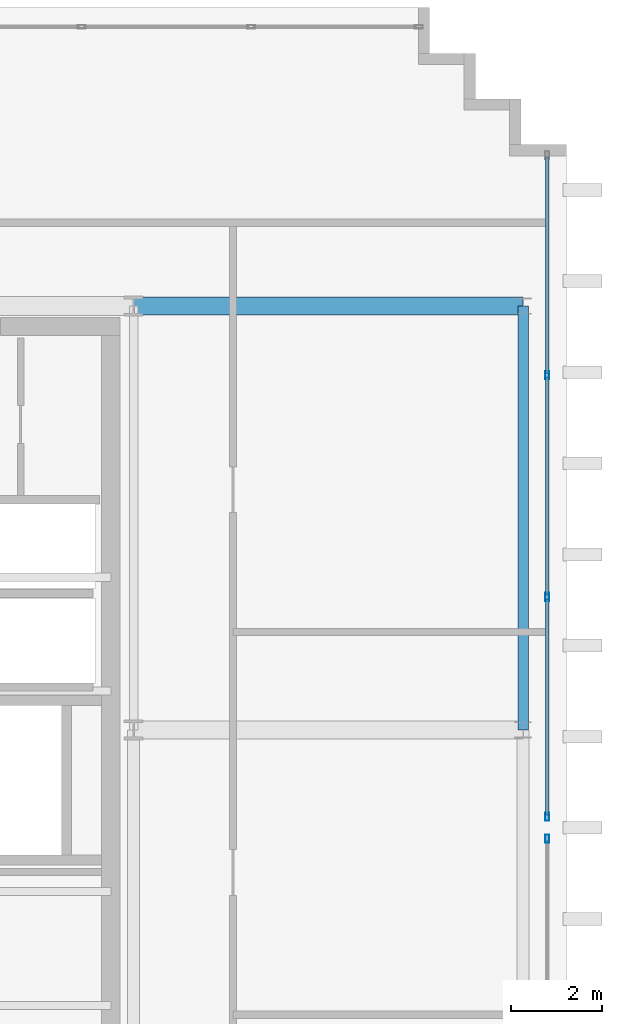
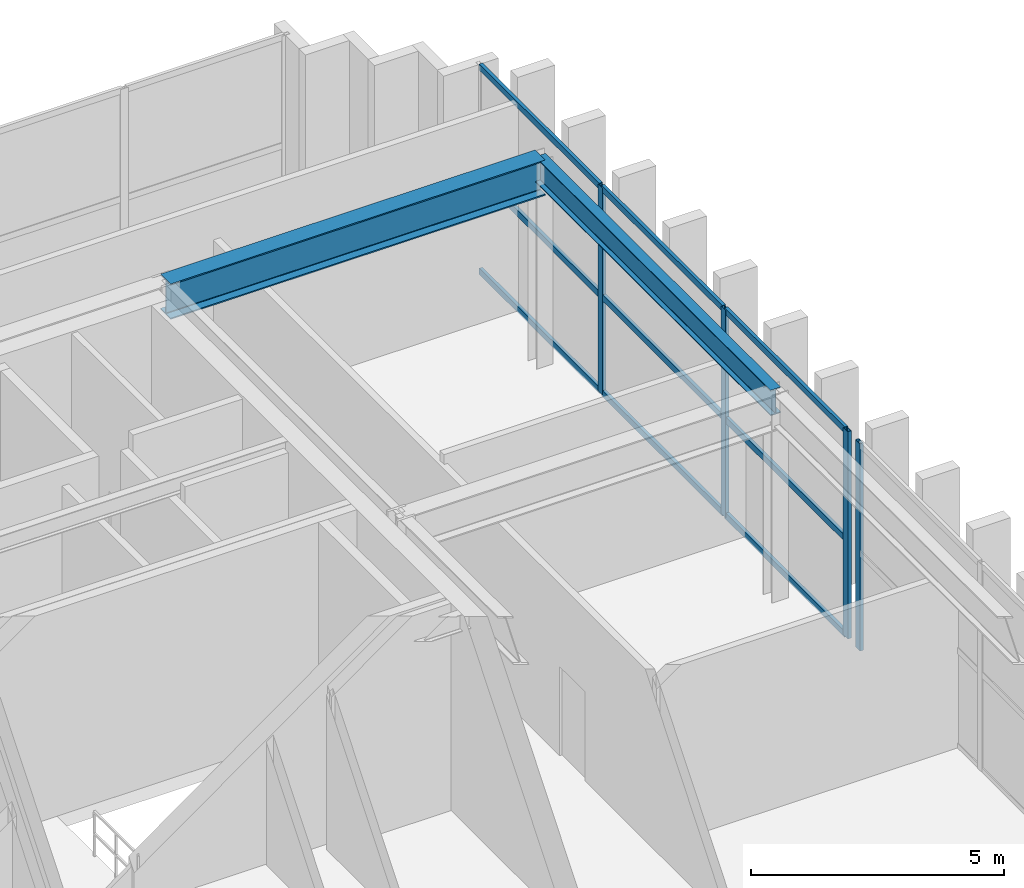
# One storey, part 8 of 14: 13 members, 2 beams, 2 elements without a shape of their own.
"""IFC4 building model written with IfcOpenShell, lengths in metres."""

from ifc_helpers import new_model, si_unit, direction, frame, origin, origin_2d, place, context, subcontext, project, spatial, hollow_rectangle, i_section, extrude, source, transform, mapped, material, layer, layer_set, material_profile, profile_set, type_object, element, aggregate, save


model = new_model("IFC4")

# Units and contexts
model_context = context("Model", 3, precision=1e-05, world=origin(), true_north=direction((0.0, 1.0)))
body_context = subcontext(model_context, "Body", "Model", "MODEL_VIEW")
ifc_project = project(units=[si_unit("LENGTHUNIT", "METRE"), si_unit("AREAUNIT", "SQUARE_METRE"), si_unit("VOLUMEUNIT", "CUBIC_METRE"), si_unit("PLANEANGLEUNIT", "RADIAN"), si_unit("MASSUNIT", "GRAM", prefix="KILO")], contexts=[model_context])

# Site, building, storey
site_placement = place(None, origin())
site = spatial("IfcSite", under=ifc_project, at=site_placement, CompositionType="ELEMENT")
building_placement = place(site_placement, origin())
building = spatial("IfcBuilding", under=site, at=building_placement, Name="Ocotamira Hotel", CompositionType="ELEMENT")
storey_placement = place(building_placement, frame((0.0, 0.0, 309.60009765625)))
storey = spatial("IfcBuildingStorey", under=building, at=storey_placement, Name="L79", CompositionType="ELEMENT", Elevation=309.60009765625)

# Beams
ifc_material_1 = material(Name="Steel ASTM A992 Grade 50", Category="steel")
ifc_material_profile_1 = material_profile(ifc_material_1, i_section(OverallWidth=0.22998046875, OverallDepth=0.616943359375, WebThickness=0.01318359375, FlangeThickness=0.022216796875, FilletRadius=0.012939453125, at=origin_2d()), Name="W24X94")
ifc_profile_set_1 = profile_set([ifc_material_profile_1], Name="Steel ASTM A992 Grade 50")
beam_type_1 = type_object("IfcBeamType", Name="BM-PRIM-W24X94", PredefinedType="BEAM", material=ifc_profile_set_1)
shared_shape_1 = source(origin(), body_context, "Body", "SweptSolid", [
    extrude(i_section(OverallWidth=0.22998046875, OverallDepth=0.616943359375, WebThickness=0.01318359375, FlangeThickness=0.022216796875, FilletRadius=0.012939453125, at=origin_2d()), origin(), (0.0, 0.0, 1.0), 9.300048828125),
])
beam_1_placement = place(storey_placement, frame((32.050048828125, 28.14990234375, 4.69140625), z_axis=(0.0, 1.0, 0.0), x_axis=(-1.0, 0.0, 0.0)))
element("IfcBeam", 1, at=beam_1_placement, inside=storey, type_object=beam_type_1, Name="L79 Beam X32.05 Y28.15-37.45", PredefinedType="BEAM", context=body_context, shape_type="MappedRepresentation", body=[
    mapped(shared_shape_1, transform((0.0, 0.0, 0.0), scale=1.0)),
])
ifc_material_profile_2 = material_profile(ifc_material_1, i_section(OverallWidth=0.39990234375, OverallDepth=0.85595703125, WebThickness=0.018310546875, FlangeThickness=0.029296875, FilletRadius=0.02001953125, at=origin_2d()), Name="W33X201")
ifc_profile_set_2 = profile_set([ifc_material_profile_2], Name="Steel ASTM A992 Grade 50")
beam_type_2 = type_object("IfcBeamType", Name="BM-GIRD-W33X201", PredefinedType="BEAM", material=ifc_profile_set_2)
shared_shape_2 = source(origin(), body_context, "Body", "SweptSolid", [
    extrude(i_section(OverallWidth=0.39990234375, OverallDepth=0.85595703125, WebThickness=0.018310546875, FlangeThickness=0.029296875, FilletRadius=0.02001953125, at=origin_2d()), origin(), (0.0, 0.0, 1.0), 8.550048828125),
])
beam_2_placement = place(storey_placement, frame((23.5, 37.449951171875, 4.572021484375), z_axis=(1.0, 0.0, 0.0), x_axis=(0.0, 1.0, 0.0)))
element("IfcBeam", 2, at=beam_2_placement, inside=storey, type_object=beam_type_2, Name="L79 Girder Y37.45 X23.5-32.05", PredefinedType="BEAM", context=body_context, shape_type="MappedRepresentation", body=[
    mapped(shared_shape_2, transform((0.0, 0.0, 0.0), scale=1.0)),
])

# Curtain wall, members
ifc_material_2 = material(Name="Anodised pale-metal aluminium and solar glass", Category="aluminium")
ifc_layer = layer(ifc_material_2, 0.2099609375)
ifc_layer_set = layer_set([ifc_layer], Name="Anodised pale-metal aluminium and solar glass")
curtain_wall_type = type_object("IfcCurtainWallType", Name="CW-SYS7-PEAK", PredefinedType="NOTDEFINED", material=ifc_layer_set)
curtain_wall_1_placement = place(storey_placement, origin())
curtain_wall_1 = element("IfcCurtainWall", 3, at=curtain_wall_1_placement, inside=storey, type_object=curtain_wall_type, Name="L79 Curtain Wall CW-7 CW-L79-E2", PredefinedType="NOTDEFINED")
ifc_material_3 = material(Name="Anodised pale-metal aluminium 6063-T6", Category="aluminium")
ifc_material_profile_3 = material_profile(ifc_material_3, hollow_rectangle(XDim=0.074951171875, YDim=0.14990234375, WallThickness=0.006103515625, at=origin_2d()), Name="HSS150X75X6")
ifc_profile_set_3 = profile_set([ifc_material_profile_3], Name="Anodised pale-metal aluminium 6063-T6")
member_type_1 = type_object("IfcMemberType", Name="CWT-150X75", PredefinedType="USERDEFINED", material=ifc_profile_set_3)
shared_shape_3 = source(origin(), body_context, "Body", "SweptSolid", [
    extrude(hollow_rectangle(XDim=0.074951171875, YDim=0.14990234375, WallThickness=0.006103515625, at=origin_2d()), origin(), (0.0, 0.0, 1.0), 4.74658203125),
])
member_1_placement = place(storey_placement, frame((32.580078125, 26.280029296875, 0.037353515625), z_axis=(0.0, 1.0, 0.0), x_axis=(-1.0, 0.0, 0.0)))
member_1 = element("IfcMember", 4, at=member_1_placement, type_object=member_type_1, Name="CW-7 transom 1.1", ObjectType="TRANSOM", PredefinedType="USERDEFINED", context=body_context, shape_type="MappedRepresentation", body=[
    mapped(shared_shape_3, transform((0.0, 0.0, 0.0), scale=1.0)),
])
member_2_placement = place(storey_placement, frame((32.580078125, 26.280029296875, 2.349853515625), z_axis=(0.0, 1.0, 0.0), x_axis=(-1.0, 0.0, 0.0)))
member_2 = element("IfcMember", 5, at=member_2_placement, type_object=member_type_1, Name="CW-7 transom 1.2", ObjectType="TRANSOM", PredefinedType="USERDEFINED", context=body_context, shape_type="MappedRepresentation", body=[
    mapped(shared_shape_3, transform((0.0, 0.0, 0.0), scale=1.0)),
])
member_3_placement = place(storey_placement, frame((32.580078125, 26.280029296875, 4.96240234375), z_axis=(0.0, 1.0, 0.0), x_axis=(-1.0, 0.0, 0.0)))
member_3 = element("IfcMember", 6, at=member_3_placement, type_object=member_type_1, Name="CW-7 transom 1.3", ObjectType="TRANSOM", PredefinedType="USERDEFINED", context=body_context, shape_type="MappedRepresentation", body=[
    mapped(shared_shape_3, transform((0.0, 0.0, 0.0), scale=1.0)),
])
member_4_placement = place(storey_placement, frame((32.580078125, 35.973388671875, 0.037353515625), z_axis=(0.0, 1.0, 0.0), x_axis=(-1.0, 0.0, 0.0)))
member_4 = element("IfcMember", 7, at=member_4_placement, type_object=member_type_1, Name="CW-7 transom 3.1", ObjectType="TRANSOM", PredefinedType="USERDEFINED", context=body_context, shape_type="MappedRepresentation", body=[
    mapped(shared_shape_3, transform((0.0, 0.0, 0.0), scale=1.0)),
])
member_5_placement = place(storey_placement, frame((32.580078125, 35.973388671875, 2.349853515625), z_axis=(0.0, 1.0, 0.0), x_axis=(-1.0, 0.0, 0.0)))
member_5 = element("IfcMember", 8, at=member_5_placement, type_object=member_type_1, Name="CW-7 transom 3.2", ObjectType="TRANSOM", PredefinedType="USERDEFINED", context=body_context, shape_type="MappedRepresentation", body=[
    mapped(shared_shape_3, transform((0.0, 0.0, 0.0), scale=1.0)),
])
member_6_placement = place(storey_placement, frame((32.580078125, 35.973388671875, 4.96240234375), z_axis=(0.0, 1.0, 0.0), x_axis=(-1.0, 0.0, 0.0)))
member_6 = element("IfcMember", 9, at=member_6_placement, type_object=member_type_1, Name="CW-7 transom 3.3", ObjectType="TRANSOM", PredefinedType="USERDEFINED", context=body_context, shape_type="MappedRepresentation", body=[
    mapped(shared_shape_3, transform((0.0, 0.0, 0.0), scale=1.0)),
])
shared_shape_4 = source(origin(), body_context, "Body", "SweptSolid", [
    extrude(hollow_rectangle(XDim=0.074951171875, YDim=0.14990234375, WallThickness=0.006103515625, at=origin_2d()), origin(), (0.0, 0.0, 1.0), 4.78662109375),
])
member_7_placement = place(storey_placement, frame((32.580078125, 31.106689453125, 0.037353515625), z_axis=(0.0, 1.0, 0.0), x_axis=(-1.0, 0.0, 0.0)))
member_7 = element("IfcMember", 10, at=member_7_placement, type_object=member_type_1, Name="CW-7 transom 2.1", ObjectType="TRANSOM", PredefinedType="USERDEFINED", context=body_context, shape_type="MappedRepresentation", body=[
    mapped(shared_shape_4, transform((0.0, 0.0, 0.0), scale=1.0)),
])
member_8_placement = place(storey_placement, frame((32.580078125, 31.106689453125, 2.349853515625), z_axis=(0.0, 1.0, 0.0), x_axis=(-1.0, 0.0, 0.0)))
member_8 = element("IfcMember", 11, at=member_8_placement, type_object=member_type_1, Name="CW-7 transom 2.2", ObjectType="TRANSOM", PredefinedType="USERDEFINED", context=body_context, shape_type="MappedRepresentation", body=[
    mapped(shared_shape_4, transform((0.0, 0.0, 0.0), scale=1.0)),
])
member_9_placement = place(storey_placement, frame((32.580078125, 31.106689453125, 4.96240234375), z_axis=(0.0, 1.0, 0.0), x_axis=(-1.0, 0.0, 0.0)))
member_9 = element("IfcMember", 12, at=member_9_placement, type_object=member_type_1, Name="CW-7 transom 2.3", ObjectType="TRANSOM", PredefinedType="USERDEFINED", context=body_context, shape_type="MappedRepresentation", body=[
    mapped(shared_shape_4, transform((0.0, 0.0, 0.0), scale=1.0)),
])

# Curtain wall, member
curtain_wall_2_placement = place(storey_placement, origin())
curtain_wall_2 = element("IfcCurtainWall", 13, at=curtain_wall_2_placement, inside=storey, type_object=curtain_wall_type, Name="L79 Curtain Wall CW-7 CW-L79-E1", PredefinedType="NOTDEFINED")
ifc_material_profile_4 = material_profile(ifc_material_3, hollow_rectangle(XDim=0.080078125, YDim=0.179931640625, WallThickness=0.006103515625, at=origin_2d()), Name="HSS180X80X6")
ifc_profile_set_4 = profile_set([ifc_material_profile_4], Name="Anodised pale-metal aluminium 6063-T6")
member_type_2 = type_object("IfcMemberType", Name="CWM-180X75", PredefinedType="MULLION", material=ifc_profile_set_4)
shared_shape_5 = source(origin(), body_context, "Body", "SweptSolid", [
    extrude(hollow_rectangle(XDim=0.080078125, YDim=0.179931640625, WallThickness=0.006103515625, at=origin_2d()), origin(), (0.0, 0.0, 1.0), 5.0),
])
member_10_placement = place(storey_placement, frame((32.580078125, 25.760009765625, 0.0), z_axis=(0.0, 0.0, 1.0), x_axis=(-1.0, 0.0, 0.0)))
member_10 = element("IfcMember", 14, at=member_10_placement, type_object=member_type_2, Name="CW-7 mullion 4", PredefinedType="MULLION", context=body_context, shape_type="MappedRepresentation", body=[
    mapped(shared_shape_5, transform((0.0, 0.0, 0.0), scale=1.0)),
])
aggregate(curtain_wall_2, [member_10])

# Member
member_11_placement = place(storey_placement, frame((32.580078125, 26.239990234375, 0.0), z_axis=(0.0, 0.0, 1.0), x_axis=(-1.0, 0.0, 0.0)))
member_11 = element("IfcMember", 15, at=member_11_placement, type_object=member_type_2, Name="CW-7 mullion 1", PredefinedType="MULLION", context=body_context, shape_type="MappedRepresentation", body=[
    mapped(shared_shape_5, transform((0.0, 0.0, 0.0), scale=1.0)),
])

member_12_placement = place(storey_placement, frame((32.580078125, 31.066650390625, 0.0), z_axis=(0.0, 0.0, 1.0), x_axis=(-1.0, 0.0, 0.0)))
member_12 = element("IfcMember", 16, at=member_12_placement, type_object=member_type_2, Name="CW-7 mullion 2", PredefinedType="MULLION", context=body_context, shape_type="MappedRepresentation", body=[
    mapped(shared_shape_5, transform((0.0, 0.0, 0.0), scale=1.0)),
])

member_13_placement = place(storey_placement, frame((32.580078125, 35.933349609375, 0.0), z_axis=(0.0, 0.0, 1.0), x_axis=(-1.0, 0.0, 0.0)))
member_13 = element("IfcMember", 17, at=member_13_placement, type_object=member_type_2, Name="CW-7 mullion 3", PredefinedType="MULLION", context=body_context, shape_type="MappedRepresentation", body=[
    mapped(shared_shape_5, transform((0.0, 0.0, 0.0), scale=1.0)),
])

aggregate(curtain_wall_1, [member_11, member_12, member_13, member_1, member_2, member_3, member_7, member_8, member_9, member_4, member_5, member_6])

save(model, "model.ifc")
